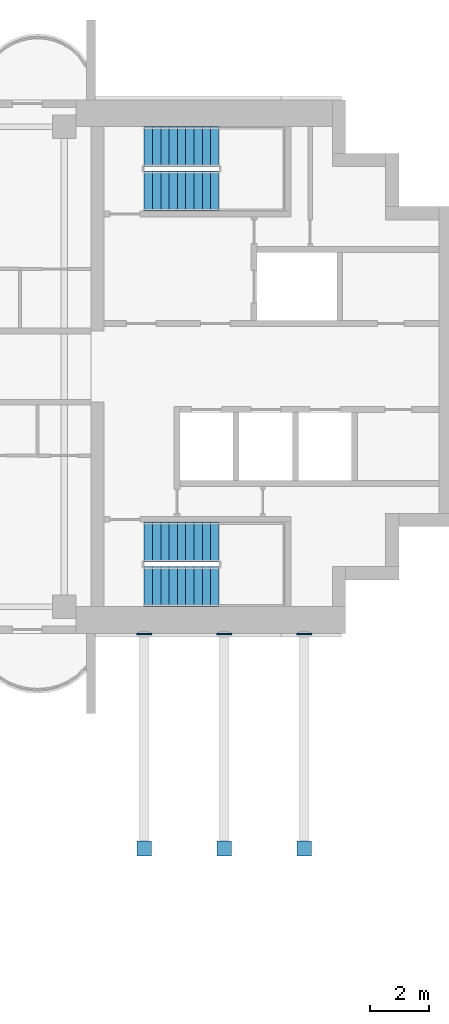
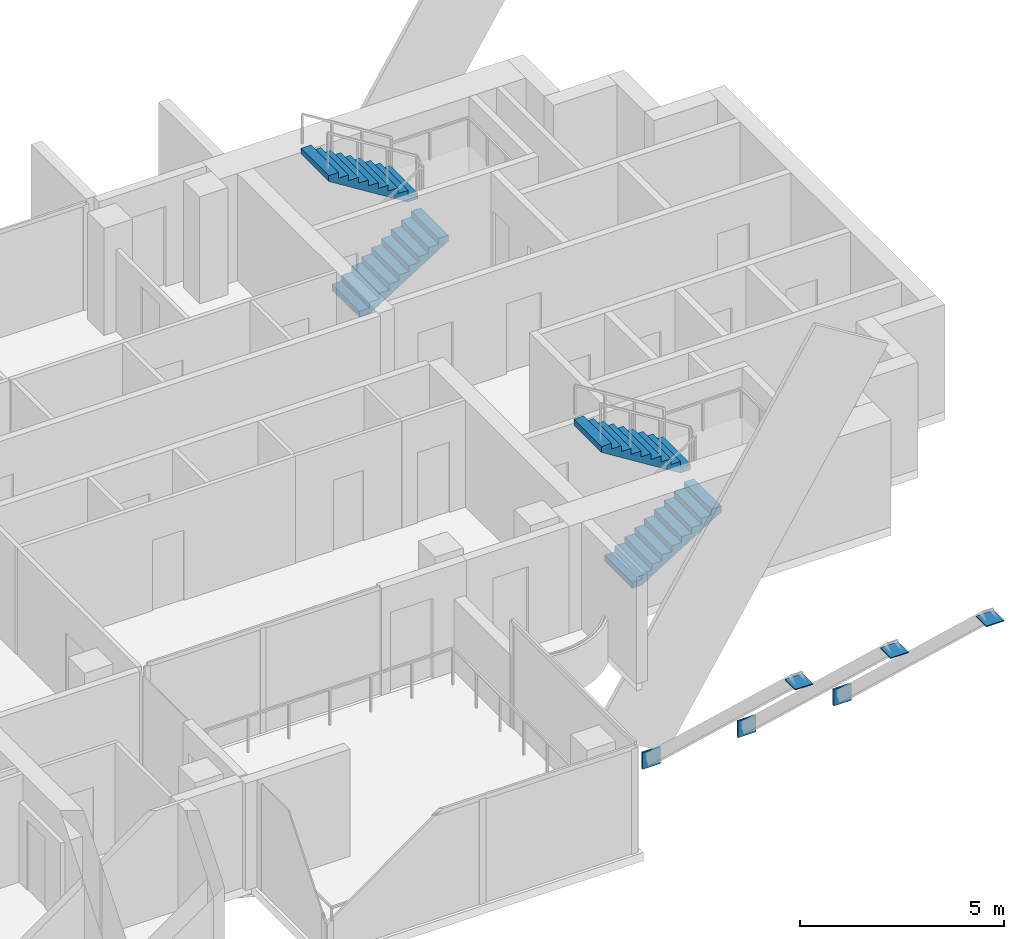
# One storey, part 14 of 18: 6 discrete accessories, 4 stair flights, 2 elements without a shape of their own.
"""IFC4 building model written with IfcOpenShell, lengths in metres."""

from ifc_helpers import new_model, si_unit, direction, frame, origin, origin_2d, place, context, subcontext, project, spatial, polyline, rectangle, outline, extrude, material, type_object, element, aggregate, save


model = new_model("IFC4")

# Units and contexts
model_context = context("Model", 3, precision=1e-05, world=origin(), true_north=direction((0.0, 1.0)))
body_context = subcontext(model_context, "Body", "Model", "MODEL_VIEW")
ifc_project = project(units=[si_unit("LENGTHUNIT", "METRE"), si_unit("AREAUNIT", "SQUARE_METRE"), si_unit("VOLUMEUNIT", "CUBIC_METRE"), si_unit("PLANEANGLEUNIT", "RADIAN"), si_unit("MASSUNIT", "GRAM", prefix="KILO")], contexts=[model_context])

# Site, building, storey
site_placement = place(None, origin())
site = spatial("IfcSite", under=ifc_project, at=site_placement, CompositionType="ELEMENT")
building_placement = place(site_placement, origin())
building = spatial("IfcBuilding", under=site, at=building_placement, Name="Perihelion Cross Residences", CompositionType="ELEMENT")
storey_placement = place(building_placement, frame((0.0, 0.0, 281.5)))
storey = spatial("IfcBuildingStorey", under=building, at=storey_placement, Name="L72", CompositionType="ELEMENT", Elevation=281.5)

# Stair, stair flights
ifc_material_1 = material(Name="Concrete C40/50", Category="concrete")
stair_type = type_object("IfcStairType", Name="Exit stair, half-turn", PredefinedType="HALF_TURN_STAIR", material=ifc_material_1)
stair_1_placement = place(storey_placement, origin())
stair_1 = element("IfcStair", 1, at=stair_1_placement, inside=storey, type_object=stair_type, Name="L72 East core exit stair 1", PredefinedType="HALF_TURN_STAIR")
ifc_material_2 = material(Name="Concrete C40/50", Category="concrete")
stair_flight_type = type_object("IfcStairFlightType", Name="Exit stair flight", PredefinedType="STRAIGHT", material=ifc_material_2)
stair_flight_1_placement = place(storey_placement, frame((23.39990234375, 5.925048828125, 0.0), z_axis=(0.0, 0.0, 1.0), x_axis=(1.0, 0.0, 0.0)))
stair_flight_1 = element("IfcStairFlight", 2, at=stair_flight_1_placement, type_object=stair_flight_type, Name="ST-E1 flight 1", NumberOfRisers=10, NumberOfTreads=9, PredefinedType="STRAIGHT", RiserHeight=0.175, TreadLength=0.28, context=body_context, shape_type="SweptSolid", body=[
    extrude(outline(polyline([(0.0, 0.0), (0.0, 0.175048828125), (0.280029296875, 0.175048828125), (0.280029296875, 0.35009765625), (0.56005859375, 0.35009765625), (0.56005859375, 0.52490234375), (0.840087890625, 0.52490234375), (0.840087890625, 0.699951171875), (1.1201171875, 0.699951171875), (1.1201171875, 0.875), (1.39990234375, 0.875), (1.39990234375, 1.050048828125), (1.679931640625, 1.050048828125), (1.679931640625, 1.22509765625), (1.9599609375, 1.22509765625), (1.9599609375, 1.39990234375), (2.239990234375, 1.39990234375), (2.239990234375, 1.574951171875), (2.52001953125, 1.574951171875), (2.52001953125, 1.75), (2.52001953125, 1.398193359375), (0.28271484375, 0.0), (0.0, 0.0)])), frame((0.0, 0.675048828125, 0.0), z_axis=(0.0, -1.0, 0.0), x_axis=(1.0, 0.0, 0.0)), (0.0, 0.0, 1.0), 1.35009765625),
])
stair_flight_2_placement = place(storey_placement, frame((25.919921875, 7.425048828125, 1.75), z_axis=(0.0, 0.0, 1.0), x_axis=(-1.0, 0.0, 0.0)))
stair_flight_2 = element("IfcStairFlight", 3, at=stair_flight_2_placement, type_object=stair_flight_type, Name="ST-E1 flight 2", NumberOfRisers=10, NumberOfTreads=9, PredefinedType="STRAIGHT", RiserHeight=0.175, TreadLength=0.28, context=body_context, shape_type="SweptSolid", body=[
    extrude(outline(polyline([(0.0, 0.0), (0.0, 0.175048828125), (0.280029296875, 0.175048828125), (0.280029296875, 0.35009765625), (0.56005859375, 0.35009765625), (0.56005859375, 0.52490234375), (0.840087890625, 0.52490234375), (0.840087890625, 0.699951171875), (1.1201171875, 0.699951171875), (1.1201171875, 0.875), (1.39990234375, 0.875), (1.39990234375, 1.050048828125), (1.679931640625, 1.050048828125), (1.679931640625, 1.22509765625), (1.9599609375, 1.22509765625), (1.9599609375, 1.39990234375), (2.239990234375, 1.39990234375), (2.239990234375, 1.574951171875), (2.52001953125, 1.574951171875), (2.52001953125, 1.75), (2.52001953125, 1.398193359375), (0.28271484375, 0.0), (0.0, 0.0)])), frame((0.0, 0.675048828125, 0.0), z_axis=(0.0, -1.0, 0.0), x_axis=(1.0, 0.0, 0.0)), (0.0, 0.0, 1.0), 1.35009765625),
])
aggregate(stair_1, [stair_flight_1, stair_flight_2])

stair_2_placement = place(storey_placement, origin())
stair_2 = element("IfcStair", 4, at=stair_2_placement, inside=storey, type_object=stair_type, Name="L72 East core exit stair 2", PredefinedType="HALF_TURN_STAIR")
stair_flight_3_placement = place(storey_placement, frame((23.39990234375, -7.425048828125, 0.0), z_axis=(0.0, 0.0, 1.0), x_axis=(1.0, 0.0, 0.0)))
stair_flight_3 = element("IfcStairFlight", 5, at=stair_flight_3_placement, type_object=stair_flight_type, Name="ST-E2 flight 1", NumberOfRisers=10, NumberOfTreads=9, PredefinedType="STRAIGHT", RiserHeight=0.175, TreadLength=0.28, context=body_context, shape_type="SweptSolid", body=[
    extrude(outline(polyline([(0.0, 0.0), (0.0, 0.175048828125), (0.280029296875, 0.175048828125), (0.280029296875, 0.35009765625), (0.56005859375, 0.35009765625), (0.56005859375, 0.52490234375), (0.840087890625, 0.52490234375), (0.840087890625, 0.699951171875), (1.1201171875, 0.699951171875), (1.1201171875, 0.875), (1.39990234375, 0.875), (1.39990234375, 1.050048828125), (1.679931640625, 1.050048828125), (1.679931640625, 1.22509765625), (1.9599609375, 1.22509765625), (1.9599609375, 1.39990234375), (2.239990234375, 1.39990234375), (2.239990234375, 1.574951171875), (2.52001953125, 1.574951171875), (2.52001953125, 1.75), (2.52001953125, 1.398193359375), (0.28271484375, 0.0), (0.0, 0.0)])), frame((0.0, 0.675048828125, 0.0), z_axis=(0.0, -1.0, 0.0), x_axis=(1.0, 0.0, 0.0)), (0.0, 0.0, 1.0), 1.35009765625),
])
stair_flight_4_placement = place(storey_placement, frame((25.919921875, -5.925048828125, 1.75), z_axis=(0.0, 0.0, 1.0), x_axis=(-1.0, 0.0, 0.0)))
stair_flight_4 = element("IfcStairFlight", 6, at=stair_flight_4_placement, type_object=stair_flight_type, Name="ST-E2 flight 2", NumberOfRisers=10, NumberOfTreads=9, PredefinedType="STRAIGHT", RiserHeight=0.175, TreadLength=0.28, context=body_context, shape_type="SweptSolid", body=[
    extrude(outline(polyline([(0.0, 0.0), (0.0, 0.175048828125), (0.280029296875, 0.175048828125), (0.280029296875, 0.35009765625), (0.56005859375, 0.35009765625), (0.56005859375, 0.52490234375), (0.840087890625, 0.52490234375), (0.840087890625, 0.699951171875), (1.1201171875, 0.699951171875), (1.1201171875, 0.875), (1.39990234375, 0.875), (1.39990234375, 1.050048828125), (1.679931640625, 1.050048828125), (1.679931640625, 1.22509765625), (1.9599609375, 1.22509765625), (1.9599609375, 1.39990234375), (2.239990234375, 1.39990234375), (2.239990234375, 1.574951171875), (2.52001953125, 1.574951171875), (2.52001953125, 1.75), (2.52001953125, 1.398193359375), (0.28271484375, 0.0), (0.0, 0.0)])), frame((0.0, 0.675048828125, 0.0), z_axis=(0.0, -1.0, 0.0), x_axis=(1.0, 0.0, 0.0)), (0.0, 0.0, 1.0), 1.35009765625),
])
aggregate(stair_2, [stair_flight_3, stair_flight_4])

# Discrete accessories
ifc_material_3 = material(Name="Steel S355", Category="steel")
discrete_accessory_type = type_object("IfcDiscreteAccessoryType", Name="End plate 500 x 500 x 50, steel S355", PredefinedType="BRACKET", material=ifc_material_3)
discrete_accessory_1_placement = place(storey_placement, frame((23.39990234375, -9.02490234375, -4.75), z_axis=(0.0, 0.0, 1.0), x_axis=(1.0, 0.0, 0.0)))
element("IfcDiscreteAccessory", 7, at=discrete_accessory_1_placement, inside=storey, type_object=discrete_accessory_type, Name="End plate 500 x 500 x 50", PredefinedType="BRACKET", context=body_context, shape_type="SweptSolid", body=[
    extrude(rectangle(XDim=0.5, YDim=0.050048828125, at=origin_2d()), origin(), (0.0, 0.0, 1.0), 0.5),
])
discrete_accessory_2_placement = place(storey_placement, frame((23.39990234375, -16.26611328125, 2.14013671875), z_axis=(0.0, 0.0, 1.0), x_axis=(1.0, 0.0, 0.0)))
element("IfcDiscreteAccessory", 8, at=discrete_accessory_2_placement, inside=storey, type_object=discrete_accessory_type, Name="End plate 500 x 500 x 50", PredefinedType="BRACKET", context=body_context, shape_type="SweptSolid", body=[
    extrude(rectangle(XDim=0.5, YDim=0.5, at=origin_2d()), origin(), (0.0, 0.0, 1.0), 0.030029296875),
])
discrete_accessory_3_placement = place(storey_placement, frame((26.10009765625, -9.02490234375, -4.75), z_axis=(0.0, 0.0, 1.0), x_axis=(1.0, 0.0, 0.0)))
element("IfcDiscreteAccessory", 9, at=discrete_accessory_3_placement, inside=storey, type_object=discrete_accessory_type, Name="End plate 500 x 500 x 50", PredefinedType="BRACKET", context=body_context, shape_type="SweptSolid", body=[
    extrude(rectangle(XDim=0.5, YDim=0.050048828125, at=origin_2d()), origin(), (0.0, 0.0, 1.0), 0.5),
])
discrete_accessory_4_placement = place(storey_placement, frame((26.10009765625, -16.26611328125, 2.14013671875), z_axis=(0.0, 0.0, 1.0), x_axis=(1.0, 0.0, 0.0)))
element("IfcDiscreteAccessory", 10, at=discrete_accessory_4_placement, inside=storey, type_object=discrete_accessory_type, Name="End plate 500 x 500 x 50", PredefinedType="BRACKET", context=body_context, shape_type="SweptSolid", body=[
    extrude(rectangle(XDim=0.5, YDim=0.5, at=origin_2d()), origin(), (0.0, 0.0, 1.0), 0.030029296875),
])
discrete_accessory_5_placement = place(storey_placement, frame((28.800048828125, -9.02490234375, -4.75), z_axis=(0.0, 0.0, 1.0), x_axis=(1.0, 0.0, 0.0)))
element("IfcDiscreteAccessory", 11, at=discrete_accessory_5_placement, inside=storey, type_object=discrete_accessory_type, Name="End plate 500 x 500 x 50", PredefinedType="BRACKET", context=body_context, shape_type="SweptSolid", body=[
    extrude(rectangle(XDim=0.5, YDim=0.050048828125, at=origin_2d()), origin(), (0.0, 0.0, 1.0), 0.5),
])
discrete_accessory_6_placement = place(storey_placement, frame((28.800048828125, -16.26611328125, 2.14013671875), z_axis=(0.0, 0.0, 1.0), x_axis=(1.0, 0.0, 0.0)))
element("IfcDiscreteAccessory", 12, at=discrete_accessory_6_placement, inside=storey, type_object=discrete_accessory_type, Name="End plate 500 x 500 x 50", PredefinedType="BRACKET", context=body_context, shape_type="SweptSolid", body=[
    extrude(rectangle(XDim=0.5, YDim=0.5, at=origin_2d()), origin(), (0.0, 0.0, 1.0), 0.030029296875),
])

save(model, "model.ifc")
